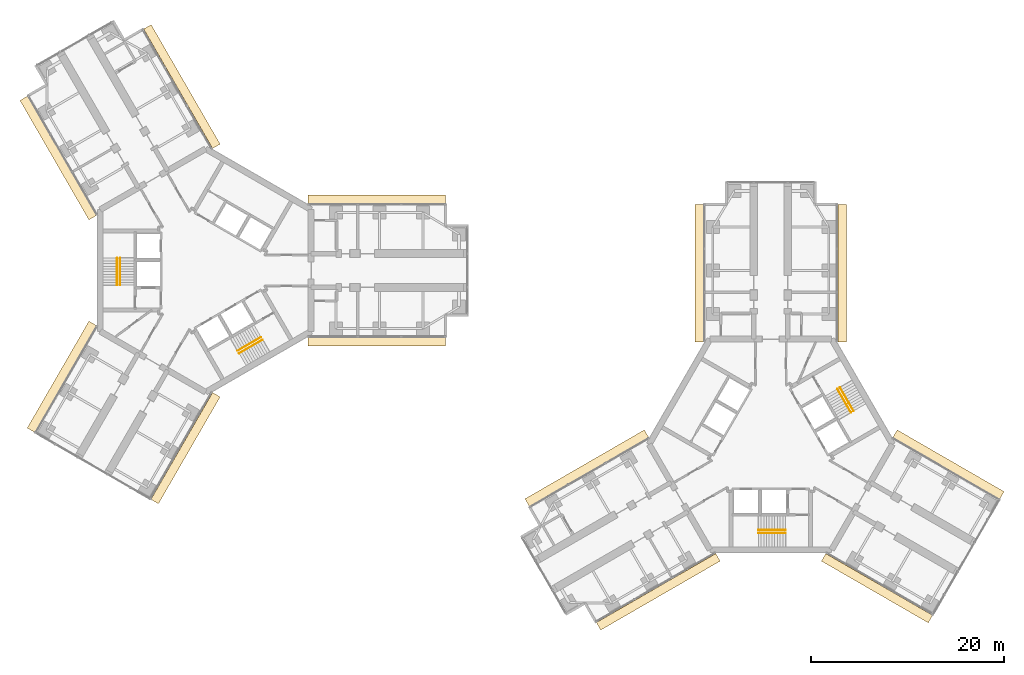
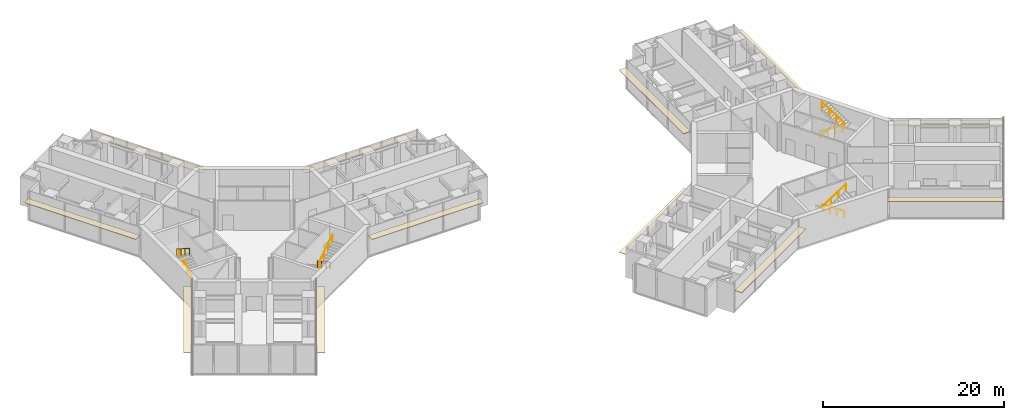
# One storey, part 21 of 21: 12 coverings, 8 railings.
"""IFC4 building model written with IfcOpenShell, lengths in metres."""

from ifc_helpers import new_model, si_unit, direction, frame, origin, origin_2d, place, context, subcontext, project, spatial, rectangle, circle, extrude, material, layer, layer_set, type_object, element, save


model = new_model("IFC4")

# Units and contexts
model_context = context("Model", 3, precision=1e-05, world=origin(), true_north=direction((0.0, 1.0)))
body_context = subcontext(model_context, "Body", "Model", "MODEL_VIEW")
ifc_project = project(units=[si_unit("LENGTHUNIT", "METRE"), si_unit("AREAUNIT", "SQUARE_METRE"), si_unit("VOLUMEUNIT", "CUBIC_METRE"), si_unit("PLANEANGLEUNIT", "RADIAN"), si_unit("MASSUNIT", "GRAM", prefix="KILO")], contexts=[model_context])

# Site, building, storey
site_placement = place(None, origin())
site = spatial("IfcSite", under=ifc_project, at=site_placement, CompositionType="ELEMENT")
building_placement = place(site_placement, origin())
building = spatial("IfcBuilding", under=site, at=building_placement, Name="Upepo Twin Towers", CompositionType="ELEMENT")
storey_placement = place(building_placement, frame((0.0, 0.0, 105.5)))
storey = spatial("IfcBuildingStorey", under=building, at=storey_placement, Name="L25", CompositionType="ELEMENT", Elevation=105.5)

# Coverings
ifc_material_1 = material(Name="Anodised aluminium, pale silver", Category="aluminium")
ifc_layer = layer(ifc_material_1, 0.080078125)
ifc_layer_set = layer_set([ifc_layer], Name="Brise-soleil blade 900 pale aluminium")
covering_type = type_object("IfcCoveringType", Name="Brise-soleil blade 900 pale aluminium", PredefinedType="USERDEFINED", material=ifc_layer_set)
for number, where, z_axis, x_axis, name in (
    (1, (17.718505859375, 7.389892578125, 2.909912109375), (0.0, 0.0, 1.0), (1.0, 0.0, 0.0), "T1 L25 wing A brise-soleil L"),
    (2, (17.718505859375, -7.389892578125, 2.909912109375), (0.0, 0.0, 1.0), (1.0, 0.0, 0.0), "T1 L25 wing A brise-soleil R"),
    (3, (-15.25927734375, 11.649658203125, 2.909912109375), (0.0, 0.0, 1.0), (-0.500000015115, 0.866025395058, 0.0), "T1 L25 wing B brise-soleil L"),
    (4, (-2.459228515625, 19.039794921875, 2.909912109375), (0.0, 0.0, 1.0), (-0.500000015115, 0.866025395058, 0.0), "T1 L25 wing B brise-soleil R"),
):
    element("IfcCovering", number, at=place(storey_placement, frame(where, z_axis=z_axis, x_axis=x_axis)), inside=storey, type_object=covering_type, Name=name, ObjectType="SUNSHADE", PredefinedType="USERDEFINED", context=body_context, shape_type="SweptSolid", body=[
        extrude(rectangle(XDim=14.262939453125, YDim=0.89990234375, at=origin_2d()), origin(), (0.0, 0.0, 1.0), 0.080078125),
    ])
for number, where, z_axis, x_axis, name in (
    (5, (-2.084228515625, -18.39013671875, 2.909912109375), (0.0, 0.0, 1.0), (-0.500000015115, -0.866025395058, 0.0), "T1 L25 wing C brise-soleil L"),
    (6, (-14.88427734375, -11.000244140625, 2.909912109375), (0.0, 0.0, 1.0), (-0.500000015115, -0.866025395058, 0.0), "T1 L25 wing C brise-soleil R"),
):
    element("IfcCovering", number, at=place(storey_placement, frame(where, z_axis=z_axis, x_axis=x_axis)), inside=storey, type_object=covering_type, Name=name, ObjectType="SUNSHADE", PredefinedType="USERDEFINED", context=body_context, shape_type="SweptSolid", body=[
        extrude(rectangle(XDim=12.762939453125, YDim=0.89990234375, at=origin_2d()), origin(), (0.0, 0.0, 1.0), 0.080078125),
    ])
for number, where, z_axis, x_axis, name in (
    (7, (51.110107421875, -0.281494140625, 2.909912109375), (0.0, 0.0, 1.0), (0.0, 1.0, 0.0), "T2 L25 wing A brise-soleil L"),
    (8, (65.889892578125, -0.281494140625, 2.909912109375), (0.0, 0.0, 1.0), (0.0, 1.0, 0.0), "T2 L25 wing A brise-soleil R"),
    (9, (46.850341796875, -33.25927734375, 2.909912109375), (0.0, 0.0, 1.0), (-0.866025395058, -0.500000015115, 0.0), "T2 L25 wing B brise-soleil L"),
    (10, (39.460205078125, -20.459228515625, 2.909912109375), (0.0, 0.0, 1.0), (-0.866025395058, -0.500000015115, 0.0), "T2 L25 wing B brise-soleil R"),
):
    element("IfcCovering", number, at=place(storey_placement, frame(where, z_axis=z_axis, x_axis=x_axis)), inside=storey, type_object=covering_type, Name=name, ObjectType="SUNSHADE", PredefinedType="USERDEFINED", context=body_context, shape_type="SweptSolid", body=[
        extrude(rectangle(XDim=14.262939453125, YDim=0.89990234375, at=origin_2d()), origin(), (0.0, 0.0, 1.0), 0.080078125),
    ])
for number, where, z_axis, x_axis, name in (
    (11, (76.89013671875, -20.084228515625, 2.909912109375), (0.0, 0.0, 1.0), (0.866025395058, -0.500000015115, 0.0), "T2 L25 wing C brise-soleil L"),
    (12, (69.500244140625, -32.88427734375, 2.909912109375), (0.0, 0.0, 1.0), (0.866025395058, -0.500000015115, 0.0), "T2 L25 wing C brise-soleil R"),
):
    element("IfcCovering", number, at=place(storey_placement, frame(where, z_axis=z_axis, x_axis=x_axis)), inside=storey, type_object=covering_type, Name=name, ObjectType="SUNSHADE", PredefinedType="USERDEFINED", context=body_context, shape_type="SweptSolid", body=[
        extrude(rectangle(XDim=12.762939453125, YDim=0.89990234375, at=origin_2d()), origin(), (0.0, 0.0, 1.0), 0.080078125),
    ])

# Railings
ifc_material_2 = material(Name="Stainless steel", Category="steel")
railing_type = type_object("IfcRailingType", Name="Stair handrail 900", PredefinedType="HANDRAIL", material=ifc_material_2)
railing_1_placement = place(storey_placement, frame((-8.85009765625, -1.52001953125, 0.181884765625)))
element("IfcRailing", 13, at=railing_1_placement, inside=storey, type_object=railing_type, Name="T1 stair S1 L25 handrail 1", PredefinedType="HANDRAIL", context=body_context, shape_type="SweptSolid", body=[
    extrude(circle(Radius=0.02392578125, at=origin_2d()), frame((0.0, 0.0, 0.8759765625), z_axis=(0.0, 0.838705829183, 0.544584733623), x_axis=(-1.0, 0.0, 0.0)), (0.0, 0.0, 1.0), 3.338623046875),
    extrude(circle(Radius=0.02099609375, at=origin_2d()), origin(), (0.0, 0.0, 1.0), 0.851806640625),
    extrude(circle(Radius=0.02099609375, at=origin_2d()), frame((0.0, 0.933349609375, 0.60595703125)), (0.0, 0.0, 1.0), 0.851806640625),
    extrude(circle(Radius=0.02099609375, at=origin_2d()), frame((0.0, 1.86669921875, 1.212158203125)), (0.0, 0.0, 1.0), 0.851806640625),
    extrude(circle(Radius=0.02099609375, at=origin_2d()), frame((0.0, 2.800048828125, 1.818115234375)), (0.0, 0.0, 1.0), 0.851806640625),
])
railing_2_placement = place(storey_placement, frame((-9.158447265625, 1.280029296875, 2.181884765625)))
element("IfcRailing", 14, at=railing_2_placement, inside=storey, type_object=railing_type, Name="T1 stair S1 L25 handrail 2", PredefinedType="HANDRAIL", context=body_context, shape_type="SweptSolid", body=[
    extrude(circle(Radius=0.02392578125, at=origin_2d()), frame((0.0, 0.0, 0.8759765625), z_axis=(0.0, -0.838705829183, 0.544584733623), x_axis=(1.0, 0.0, 0.0)), (0.0, 0.0, 1.0), 3.338623046875),
    extrude(circle(Radius=0.02099609375, at=origin_2d()), origin(), (0.0, 0.0, 1.0), 0.851806640625),
    extrude(circle(Radius=0.02099609375, at=origin_2d()), frame((0.0, -0.933349609375, 0.60595703125)), (0.0, 0.0, 1.0), 0.851806640625),
    extrude(circle(Radius=0.02099609375, at=origin_2d()), frame((0.0, -1.86669921875, 1.212158203125)), (0.0, 0.0, 1.0), 0.851806640625),
    extrude(circle(Radius=0.02099609375, at=origin_2d()), frame((0.0, -2.800048828125, 1.818115234375)), (0.0, 0.0, 1.0), 0.851806640625),
])
railing_3_placement = place(storey_placement, frame((5.741455078125, -6.904296875, 0.181884765625)))
element("IfcRailing", 15, at=railing_3_placement, inside=storey, type_object=railing_type, Name="T1 stair S2 L25 handrail 1", PredefinedType="HANDRAIL", context=body_context, shape_type="SweptSolid", body=[
    extrude(circle(Radius=0.02392578125, at=origin_2d()), frame((0.0, 0.0, 0.8759765625), z_axis=(-0.726348578268, -0.419370693282, 0.544560340518), x_axis=(0.500011755427, -0.866018616679, 0.0)), (0.0, 0.0, 1.0), 3.338623046875),
    extrude(circle(Radius=0.02099609375, at=origin_2d()), origin(), (0.0, 0.0, 1.0), 0.851806640625),
    extrude(circle(Radius=0.02099609375, at=origin_2d()), frame((-0.808349609375, -0.466796875, 0.60595703125)), (0.0, 0.0, 1.0), 0.851806640625),
    extrude(circle(Radius=0.02099609375, at=origin_2d()), frame((-1.61669921875, -0.933349609375, 1.212158203125)), (0.0, 0.0, 1.0), 0.851806640625),
    extrude(circle(Radius=0.02099609375, at=origin_2d()), frame((-2.425048828125, -1.400146484375, 1.818115234375)), (0.0, 0.0, 1.0), 0.851806640625),
])
railing_4_placement = place(storey_placement, frame((3.470703125, -8.5712890625, 2.181884765625)))
element("IfcRailing", 16, at=railing_4_placement, inside=storey, type_object=railing_type, Name="T1 stair S2 L25 handrail 2", PredefinedType="HANDRAIL", context=body_context, shape_type="SweptSolid", body=[
    extrude(circle(Radius=0.02392578125, at=origin_2d()), frame((0.0, 0.0, 0.8759765625), z_axis=(0.726336304947, 0.419332699614, 0.544605966869), x_axis=(-0.49998411664, 0.866034573852, 0.0)), (0.0, 0.0, 1.0), 3.33837890625),
    extrude(circle(Radius=0.02099609375, at=origin_2d()), origin(), (0.0, 0.0, 1.0), 0.851806640625),
    extrude(circle(Radius=0.02099609375, at=origin_2d()), frame((0.808349609375, 0.466552734375, 0.60595703125)), (0.0, 0.0, 1.0), 0.851806640625),
    extrude(circle(Radius=0.02099609375, at=origin_2d()), frame((1.616455078125, 0.933349609375, 1.212158203125)), (0.0, 0.0, 1.0), 0.851806640625),
    extrude(circle(Radius=0.02099609375, at=origin_2d()), frame((2.4248046875, 1.39990234375, 1.818115234375)), (0.0, 0.0, 1.0), 0.851806640625),
])
railing_5_placement = place(storey_placement, frame((60.02001953125, -26.85009765625, 0.181884765625)))
element("IfcRailing", 17, at=railing_5_placement, inside=storey, type_object=railing_type, Name="T2 stair S1 L25 handrail 1", PredefinedType="HANDRAIL", context=body_context, shape_type="SweptSolid", body=[
    extrude(circle(Radius=0.02392578125, at=origin_2d()), frame((0.0, 0.0, 0.8759765625), z_axis=(-0.838705829183, 0.0, 0.544584733623), x_axis=(0.0, -1.0, 0.0)), (0.0, 0.0, 1.0), 3.338623046875),
    extrude(circle(Radius=0.02099609375, at=origin_2d()), origin(), (0.0, 0.0, 1.0), 0.851806640625),
    extrude(circle(Radius=0.02099609375, at=origin_2d()), frame((-0.933349609375, 0.0, 0.60595703125)), (0.0, 0.0, 1.0), 0.851806640625),
    extrude(circle(Radius=0.02099609375, at=origin_2d()), frame((-1.86669921875, 0.0, 1.212158203125)), (0.0, 0.0, 1.0), 0.851806640625),
    extrude(circle(Radius=0.02099609375, at=origin_2d()), frame((-2.800048828125, 0.0, 1.818115234375)), (0.0, 0.0, 1.0), 0.851806640625),
])
railing_6_placement = place(storey_placement, frame((57.219970703125, -27.158447265625, 2.181884765625)))
element("IfcRailing", 18, at=railing_6_placement, inside=storey, type_object=railing_type, Name="T2 stair S1 L25 handrail 2", PredefinedType="HANDRAIL", context=body_context, shape_type="SweptSolid", body=[
    extrude(circle(Radius=0.02392578125, at=origin_2d()), frame((0.0, 0.0, 0.8759765625), z_axis=(0.838705829183, 0.0, 0.544584733623), x_axis=(0.0, 1.0, 0.0)), (0.0, 0.0, 1.0), 3.338623046875),
    extrude(circle(Radius=0.02099609375, at=origin_2d()), origin(), (0.0, 0.0, 1.0), 0.851806640625),
    extrude(circle(Radius=0.02099609375, at=origin_2d()), frame((0.933349609375, 0.0, 0.60595703125)), (0.0, 0.0, 1.0), 0.851806640625),
    extrude(circle(Radius=0.02099609375, at=origin_2d()), frame((1.86669921875, 0.0, 1.212158203125)), (0.0, 0.0, 1.0), 0.851806640625),
    extrude(circle(Radius=0.02099609375, at=origin_2d()), frame((2.800048828125, 0.0, 1.818115234375)), (0.0, 0.0, 1.0), 0.851806640625),
])
railing_7_placement = place(storey_placement, frame((65.404296875, -12.258544921875, 0.181884765625)))
element("IfcRailing", 19, at=railing_7_placement, inside=storey, type_object=railing_type, Name="T2 stair S2 L25 handrail 1", PredefinedType="HANDRAIL", context=body_context, shape_type="SweptSolid", body=[
    extrude(circle(Radius=0.02392578125, at=origin_2d()), frame((0.0, 0.0, 0.8759765625), z_axis=(0.419370693282, -0.726348578268, 0.544560340518), x_axis=(0.866018616679, 0.500011755427, 0.0)), (0.0, 0.0, 1.0), 3.338623046875),
    extrude(circle(Radius=0.02099609375, at=origin_2d()), origin(), (0.0, 0.0, 1.0), 0.851806640625),
    extrude(circle(Radius=0.02099609375, at=origin_2d()), frame((0.466796875, -0.808349609375, 0.60595703125)), (0.0, 0.0, 1.0), 0.851806640625),
    extrude(circle(Radius=0.02099609375, at=origin_2d()), frame((0.933349609375, -1.61669921875, 1.212158203125)), (0.0, 0.0, 1.0), 0.851806640625),
    extrude(circle(Radius=0.02099609375, at=origin_2d()), frame((1.400146484375, -2.425048828125, 1.818115234375)), (0.0, 0.0, 1.0), 0.851806640625),
])
railing_8_placement = place(storey_placement, frame((67.0712890625, -14.529296875, 2.181884765625)))
element("IfcRailing", 20, at=railing_8_placement, inside=storey, type_object=railing_type, Name="T2 stair S2 L25 handrail 2", PredefinedType="HANDRAIL", context=body_context, shape_type="SweptSolid", body=[
    extrude(circle(Radius=0.02392578125, at=origin_2d()), frame((0.0, 0.0, 0.8759765625), z_axis=(-0.419332699614, 0.726336304947, 0.544605966869), x_axis=(-0.866034573852, -0.49998411664, 0.0)), (0.0, 0.0, 1.0), 3.33837890625),
    extrude(circle(Radius=0.02099609375, at=origin_2d()), origin(), (0.0, 0.0, 1.0), 0.851806640625),
    extrude(circle(Radius=0.02099609375, at=origin_2d()), frame((-0.466552734375, 0.808349609375, 0.60595703125)), (0.0, 0.0, 1.0), 0.851806640625),
    extrude(circle(Radius=0.02099609375, at=origin_2d()), frame((-0.933349609375, 1.616455078125, 1.212158203125)), (0.0, 0.0, 1.0), 0.851806640625),
    extrude(circle(Radius=0.02099609375, at=origin_2d()), frame((-1.39990234375, 2.4248046875, 1.818115234375)), (0.0, 0.0, 1.0), 0.851806640625),
])

save(model, "model.ifc")
